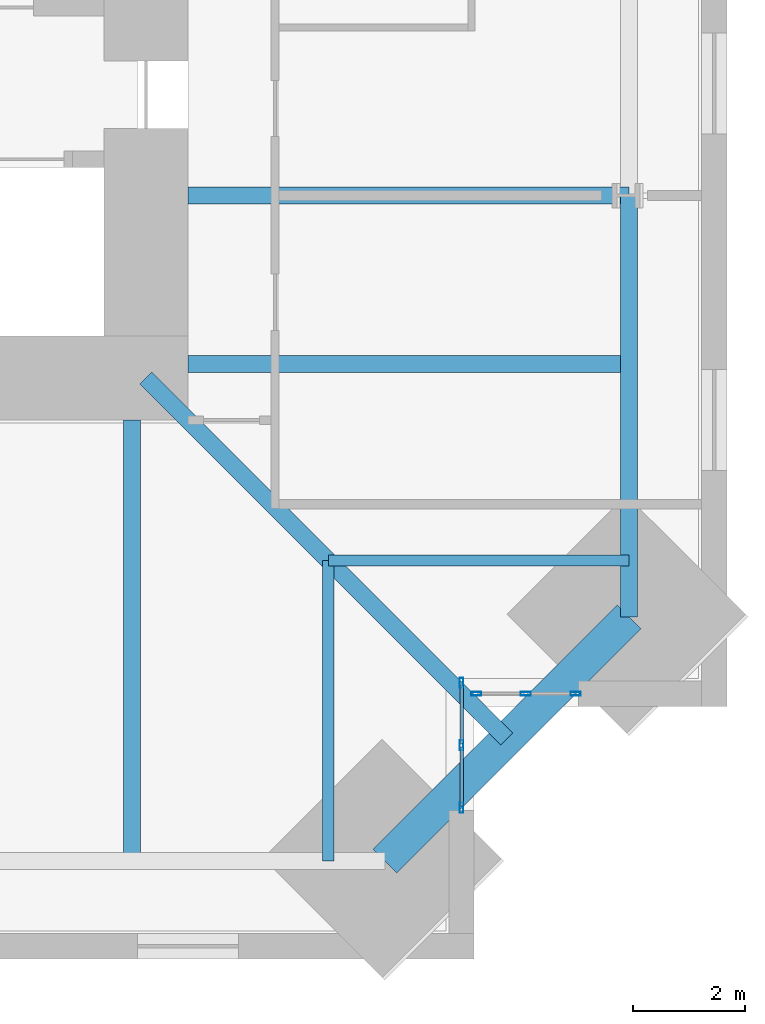
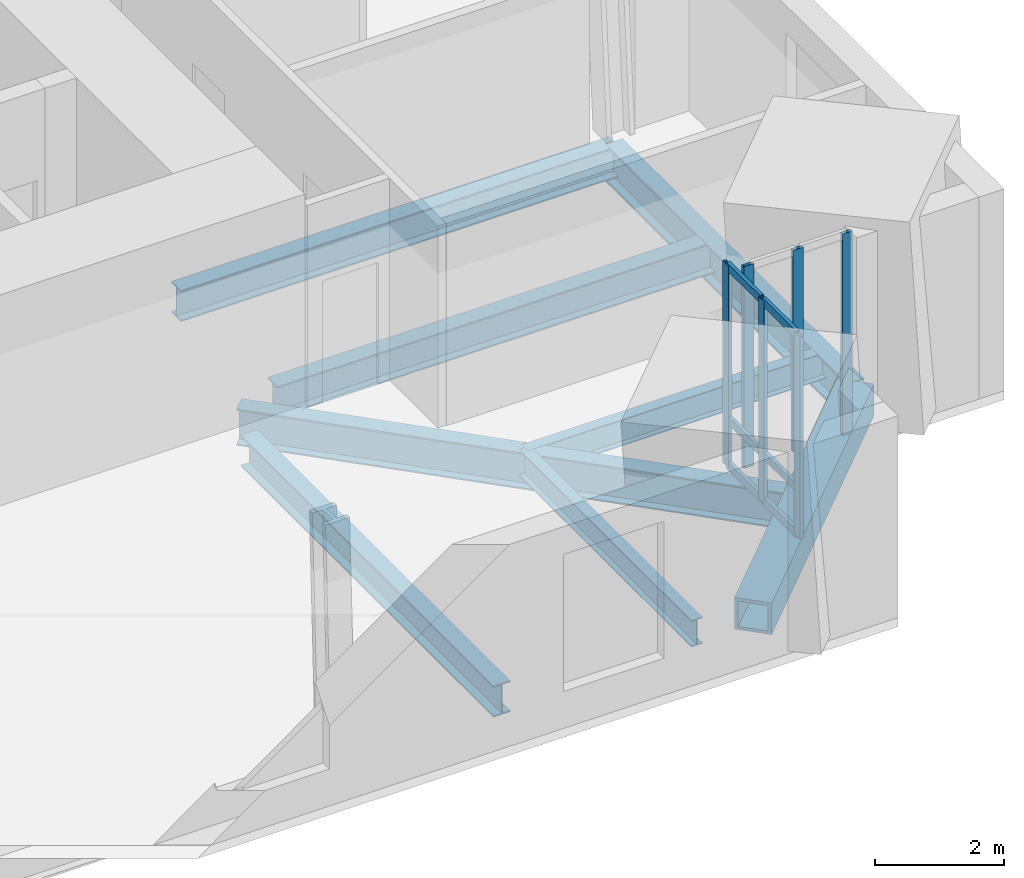
# One storey, part 4 of 16: 12 members, 8 beams, 2 elements without a shape of their own.
"""IFC4 building model written with IfcOpenShell, lengths in metres."""

from ifc_helpers import new_model, si_unit, direction, frame, origin, origin_2d, place, context, subcontext, project, spatial, hollow_rectangle, i_section, extrude, material, material_profile, profile_set, type_object, element, aggregate, save


model = new_model("IFC4")

# Units and contexts
model_context = context("Model", 3, precision=1e-05, world=origin(), true_north=direction((0.0, 1.0)))
body_context = subcontext(model_context, "Body", "Model", "MODEL_VIEW")
ifc_project = project(units=[si_unit("LENGTHUNIT", "METRE"), si_unit("AREAUNIT", "SQUARE_METRE"), si_unit("VOLUMEUNIT", "CUBIC_METRE"), si_unit("PLANEANGLEUNIT", "RADIAN"), si_unit("MASSUNIT", "GRAM", prefix="KILO")], contexts=[model_context])

# Site, building, storey
site_placement = place(None, origin())
site = spatial("IfcSite", under=ifc_project, at=site_placement, CompositionType="ELEMENT")
building_placement = place(site_placement, origin())
building = spatial("IfcBuilding", under=site, at=building_placement, Name="Peilmerk Tower", CompositionType="ELEMENT")
storey_placement = place(building_placement, frame((0.0, 0.0, 273.800048828125)))
storey = spatial("IfcBuildingStorey", under=building, at=storey_placement, Name="L61", CompositionType="ELEMENT", Elevation=273.800048828125)

# Beams
ifc_material_1 = material(Name="Steel S355", Category="steel")
ifc_material_profile_1 = material_profile(ifc_material_1, i_section(OverallWidth=0.300048828125, OverallDepth=0.68994140625, WebThickness=0.014404296875, FlangeThickness=0.027099609375, at=origin_2d()), Name="HEA 700")
ifc_profile_set_1 = profile_set([ifc_material_profile_1], Name="Steel S355")
beam_type_1 = type_object("IfcBeamType", Name="B16 HEA 700 floor beam", PredefinedType="BEAM", material=ifc_profile_set_1)
beam_1_placement = place(storey_placement, frame((11.25, -11.25, -0.51513671875), z_axis=(0.707106781187, -0.707106781187, 0.0), x_axis=(0.707106781187, 0.707106781187, 0.0)))
element("IfcBeam", 1, at=beam_1_placement, inside=storey, type_object=beam_type_1, Name="Corner girder L61", PredefinedType="BEAM", context=body_context, shape_type="SweptSolid", body=[
    extrude(i_section(OverallWidth=0.300048828125, OverallDepth=0.68994140625, WebThickness=0.014404296875, FlangeThickness=0.027099609375, at=origin_2d()), origin(), (0.0, 0.0, 1.0), 9.095458984375),
])
ifc_material_2 = material(Name="Steel S460", Category="steel")
ifc_material_profile_2 = material_profile(ifc_material_2, hollow_rectangle(XDim=0.60009765625, YDim=0.60009765625, WallThickness=0.06005859375, at=origin_2d()), Name="BOX 600x600x60")
ifc_profile_set_2 = profile_set([ifc_material_profile_2], Name="Steel S460")
beam_type_2 = type_object("IfcBeamType", Name="B20 BOX 600x600x60 notch beam", PredefinedType="SPANDREL", material=ifc_profile_set_2)
beam_2_placement = place(storey_placement, frame((19.8564453125, -15.50634765625, -0.469970703125), z_axis=(-0.707106781187, -0.707106781187, 0.0), x_axis=(0.707106781187, -0.707106781187, 0.0)))
element("IfcBeam", 2, at=beam_2_placement, inside=storey, type_object=beam_type_2, Name="Notch beam L61", PredefinedType="SPANDREL", context=body_context, shape_type="SweptSolid", body=[
    extrude(hollow_rectangle(XDim=0.60009765625, YDim=0.60009765625, WallThickness=0.06005859375, at=origin_2d()), origin(), (0.0, 0.0, 1.0), 6.15185546875),
])
ifc_material_profile_3 = material_profile(ifc_material_1, i_section(OverallWidth=0.300048828125, OverallDepth=0.590087890625, WebThickness=0.012939453125, FlangeThickness=0.02490234375, at=origin_2d()), Name="HEA 600")
ifc_profile_set_3 = profile_set([ifc_material_profile_3], Name="Steel S355")
beam_type_3 = type_object("IfcBeamType", Name="B27 HEA 600 floor beam", PredefinedType="BEAM", material=ifc_profile_set_3)
for number, where, z_axis, x_axis, name in (
    (3, (12.0, -11.0, -0.465087890625), (1.0, 0.0, 0.0), (0.0, 1.0, 0.0), "Floor beam L61"),
    (4, (12.0, -8.0, -0.465087890625), (1.0, 0.0, 0.0), (0.0, 1.0, 0.0), "Floor beam L61"),
    (5, (11.0, -12.0, -0.465087890625), (0.0, -1.0, 0.0), (1.0, 0.0, 0.0), "Floor beam L61"),
):
    element("IfcBeam", number, at=place(storey_placement, frame(where, z_axis=z_axis, x_axis=x_axis)), inside=storey, type_object=beam_type_3, Name=name, PredefinedType="BEAM", context=body_context, shape_type="SweptSolid", body=[
        extrude(i_section(OverallWidth=0.300048828125, OverallDepth=0.590087890625, WebThickness=0.012939453125, FlangeThickness=0.02490234375, at=origin_2d()), origin(), (0.0, 0.0, 1.0), 7.8564453125),
    ])
ifc_material_profile_4 = material_profile(ifc_material_1, i_section(OverallWidth=0.303955078125, OverallDepth=0.716064453125, WebThickness=0.02099609375, FlangeThickness=0.0400390625, at=origin_2d()), Name="HEM 700")
ifc_profile_set_4 = profile_set([ifc_material_profile_4], Name="Steel S355")
beam_type_4 = type_object("IfcBeamType", Name="B30 HEM 700 edge beam", PredefinedType="SPANDREL", material=ifc_profile_set_4)
beam_3_placement = place(storey_placement, frame((19.8564453125, -15.50634765625, -0.528076171875), z_axis=(0.0, 1.0, 0.0), x_axis=(-1.0, 0.0, 0.0)))
element("IfcBeam", 6, at=beam_3_placement, inside=storey, type_object=beam_type_4, Name="Edge beam L61", PredefinedType="SPANDREL", context=body_context, shape_type="SweptSolid", body=[
    extrude(i_section(OverallWidth=0.303955078125, OverallDepth=0.716064453125, WebThickness=0.02099609375, FlangeThickness=0.0400390625, at=origin_2d()), origin(), (0.0, 0.0, 1.0), 7.50634765625),
])
ifc_material_profile_5 = material_profile(ifc_material_1, i_section(OverallWidth=0.199951171875, OverallDepth=0.5, WebThickness=0.01025390625, FlangeThickness=0.01611328125, at=origin_2d()), Name="IPE 500")
ifc_profile_set_5 = profile_set([ifc_material_profile_5], Name="Steel S355")
beam_type_5 = type_object("IfcBeamType", Name="B32 IPE 500 floor beam", PredefinedType="BEAM", material=ifc_profile_set_5)
for number, where, z_axis, x_axis, name in (
    (7, (14.5, -14.5, -0.420166015625), (0.0, -1.0, 0.0), (1.0, 0.0, 0.0), "Floor beam L61"),
    (8, (14.5, -14.5, -0.420166015625), (1.0, 0.0, 0.0), (0.0, 1.0, 0.0), "Floor beam L61"),
):
    element("IfcBeam", number, at=place(storey_placement, frame(where, z_axis=z_axis, x_axis=x_axis)), inside=storey, type_object=beam_type_5, Name=name, PredefinedType="BEAM", context=body_context, shape_type="SweptSolid", body=[
        extrude(i_section(OverallWidth=0.199951171875, OverallDepth=0.5, WebThickness=0.01025390625, FlangeThickness=0.01611328125, at=origin_2d()), origin(), (0.0, 0.0, 1.0), 5.3564453125),
    ])

# Curtain wall, members
ifc_material_3 = material(Name="Aluminium stick curtain wall", Category="aluminium")
curtain_wall_type = type_object("IfcCurtainWallType", Name="CW4 stick curtain wall, 2250 module", PredefinedType="NOTDEFINED", material=ifc_material_3)
curtain_wall_1_placement = place(storey_placement, origin())
curtain_wall_1 = element("IfcCurtainWall", 9, at=curtain_wall_1_placement, inside=storey, type_object=curtain_wall_type, Name="Curtain wall CW4 SEA L61", PredefinedType="NOTDEFINED")
ifc_material_4 = material(Name="Aluminium EN AW-6063 T6", Category="aluminium")
ifc_material_profile_6 = material_profile(ifc_material_4, hollow_rectangle(XDim=0.06494140625, YDim=0.179931640625, WallThickness=0.0029296875, at=origin_2d()), Name="AL 180x65x3")
ifc_profile_set_6 = profile_set([ifc_material_profile_6], Name="Aluminium EN AW-6063 T6")
member_type_1 = type_object("IfcMemberType", Name="CW4-M AL 180x65x3 mullion", PredefinedType="MULLION", material=ifc_profile_set_6)
member_1_placement = place(storey_placement, frame((16.875, -16.6826171875, 0.0), z_axis=(0.0, 0.0, 1.0), x_axis=(1.0, 0.0, 0.0)))
member_1 = element("IfcMember", 10, at=member_1_placement, type_object=member_type_1, Name="CW4 mullion 1", PredefinedType="MULLION", context=body_context, shape_type="SweptSolid", body=[
    extrude(hollow_rectangle(XDim=0.06494140625, YDim=0.179931640625, WallThickness=0.0029296875, at=origin_2d()), origin(), (0.0, 0.0, 1.0), 3.829833984375),
])
member_2_placement = place(storey_placement, frame((16.875, -17.79443359375, 0.0), z_axis=(0.0, 0.0, 1.0), x_axis=(1.0, 0.0, 0.0)))
member_2 = element("IfcMember", 11, at=member_2_placement, type_object=member_type_1, Name="CW4 mullion 2", PredefinedType="MULLION", context=body_context, shape_type="SweptSolid", body=[
    extrude(hollow_rectangle(XDim=0.06494140625, YDim=0.179931640625, WallThickness=0.0029296875, at=origin_2d()), origin(), (0.0, 0.0, 1.0), 3.829833984375),
])
member_3_placement = place(storey_placement, frame((16.875, -18.90625, 0.0), z_axis=(0.0, 0.0, 1.0), x_axis=(1.0, 0.0, 0.0)))
member_3 = element("IfcMember", 12, at=member_3_placement, type_object=member_type_1, Name="CW4 mullion 3", PredefinedType="MULLION", context=body_context, shape_type="SweptSolid", body=[
    extrude(hollow_rectangle(XDim=0.06494140625, YDim=0.179931640625, WallThickness=0.0029296875, at=origin_2d()), origin(), (0.0, 0.0, 1.0), 3.829833984375),
])

curtain_wall_2_placement = place(storey_placement, origin())
curtain_wall_2 = element("IfcCurtainWall", 13, at=curtain_wall_2_placement, inside=storey, type_object=curtain_wall_type, Name="Curtain wall CW4 SEB L61", PredefinedType="NOTDEFINED")
member_4_placement = place(storey_placement, frame((17.132568359375, -16.875, 0.0), z_axis=(0.0, 0.0, 1.0), x_axis=(0.0, 1.0, 0.0)))
member_4 = element("IfcMember", 14, at=member_4_placement, type_object=member_type_1, Name="CW4 mullion 1", PredefinedType="MULLION", context=body_context, shape_type="SweptSolid", body=[
    extrude(hollow_rectangle(XDim=0.06494140625, YDim=0.179931640625, WallThickness=0.0029296875, at=origin_2d()), origin(), (0.0, 0.0, 1.0), 3.829833984375),
])
member_5_placement = place(storey_placement, frame((18.019287109375, -16.875, 0.0), z_axis=(0.0, 0.0, 1.0), x_axis=(0.0, 1.0, 0.0)))
member_5 = element("IfcMember", 15, at=member_5_placement, type_object=member_type_1, Name="CW4 mullion 2", PredefinedType="MULLION", context=body_context, shape_type="SweptSolid", body=[
    extrude(hollow_rectangle(XDim=0.06494140625, YDim=0.179931640625, WallThickness=0.0029296875, at=origin_2d()), origin(), (0.0, 0.0, 1.0), 3.829833984375),
])
member_6_placement = place(storey_placement, frame((18.90625, -16.875, 0.0), z_axis=(0.0, 0.0, 1.0), x_axis=(0.0, 1.0, 0.0)))
member_6 = element("IfcMember", 16, at=member_6_placement, type_object=member_type_1, Name="CW4 mullion 3", PredefinedType="MULLION", context=body_context, shape_type="SweptSolid", body=[
    extrude(hollow_rectangle(XDim=0.06494140625, YDim=0.179931640625, WallThickness=0.0029296875, at=origin_2d()), origin(), (0.0, 0.0, 1.0), 3.829833984375),
])
aggregate(curtain_wall_2, [member_4, member_5, member_6])

# Member
ifc_material_profile_7 = material_profile(ifc_material_4, hollow_rectangle(XDim=0.06494140625, YDim=0.14990234375, WallThickness=0.0029296875, at=origin_2d()), Name="AL 150x65x3")
ifc_profile_set_7 = profile_set([ifc_material_profile_7], Name="Aluminium EN AW-6063 T6")
member_type_2 = type_object("IfcMemberType", Name="CW4-T AL 150x65x3 transom", PredefinedType="USERDEFINED", material=ifc_profile_set_7)
member_7_placement = place(storey_placement, frame((16.875, -16.715087890625, 0.032470703125), z_axis=(0.0, -1.0, 0.0), x_axis=(1.0, 0.0, 0.0)))
member_7 = element("IfcMember", 17, at=member_7_placement, type_object=member_type_2, Name="CW4 transom 1.1", ObjectType="TRANSOM", PredefinedType="USERDEFINED", context=body_context, shape_type="SweptSolid", body=[
    extrude(hollow_rectangle(XDim=0.06494140625, YDim=0.14990234375, WallThickness=0.0029296875, at=origin_2d()), origin(), (0.0, 0.0, 1.0), 1.046630859375),
])

member_8_placement = place(storey_placement, frame((16.875, -16.715087890625, 0.89990234375), z_axis=(0.0, -1.0, 0.0), x_axis=(1.0, 0.0, 0.0)))
member_8 = element("IfcMember", 18, at=member_8_placement, type_object=member_type_2, Name="CW4 transom 1.2", ObjectType="TRANSOM", PredefinedType="USERDEFINED", context=body_context, shape_type="SweptSolid", body=[
    extrude(hollow_rectangle(XDim=0.06494140625, YDim=0.14990234375, WallThickness=0.0029296875, at=origin_2d()), origin(), (0.0, 0.0, 1.0), 1.046630859375),
])

member_9_placement = place(storey_placement, frame((16.875, -16.715087890625, 3.79736328125), z_axis=(0.0, -1.0, 0.0), x_axis=(1.0, 0.0, 0.0)))
member_9 = element("IfcMember", 19, at=member_9_placement, type_object=member_type_2, Name="CW4 transom 1.3", ObjectType="TRANSOM", PredefinedType="USERDEFINED", context=body_context, shape_type="SweptSolid", body=[
    extrude(hollow_rectangle(XDim=0.06494140625, YDim=0.14990234375, WallThickness=0.0029296875, at=origin_2d()), origin(), (0.0, 0.0, 1.0), 1.046630859375),
])

member_10_placement = place(storey_placement, frame((16.875, -17.826904296875, 0.032470703125), z_axis=(0.0, -1.0, 0.0), x_axis=(1.0, 0.0, 0.0)))
member_10 = element("IfcMember", 20, at=member_10_placement, type_object=member_type_2, Name="CW4 transom 2.1", ObjectType="TRANSOM", PredefinedType="USERDEFINED", context=body_context, shape_type="SweptSolid", body=[
    extrude(hollow_rectangle(XDim=0.06494140625, YDim=0.14990234375, WallThickness=0.0029296875, at=origin_2d()), origin(), (0.0, 0.0, 1.0), 1.046875),
])

member_11_placement = place(storey_placement, frame((16.875, -17.826904296875, 0.89990234375), z_axis=(0.0, -1.0, 0.0), x_axis=(1.0, 0.0, 0.0)))
member_11 = element("IfcMember", 21, at=member_11_placement, type_object=member_type_2, Name="CW4 transom 2.2", ObjectType="TRANSOM", PredefinedType="USERDEFINED", context=body_context, shape_type="SweptSolid", body=[
    extrude(hollow_rectangle(XDim=0.06494140625, YDim=0.14990234375, WallThickness=0.0029296875, at=origin_2d()), origin(), (0.0, 0.0, 1.0), 1.046875),
])

member_12_placement = place(storey_placement, frame((16.875, -17.826904296875, 3.79736328125), z_axis=(0.0, -1.0, 0.0), x_axis=(1.0, 0.0, 0.0)))
member_12 = element("IfcMember", 22, at=member_12_placement, type_object=member_type_2, Name="CW4 transom 2.3", ObjectType="TRANSOM", PredefinedType="USERDEFINED", context=body_context, shape_type="SweptSolid", body=[
    extrude(hollow_rectangle(XDim=0.06494140625, YDim=0.14990234375, WallThickness=0.0029296875, at=origin_2d()), origin(), (0.0, 0.0, 1.0), 1.046875),
])

aggregate(curtain_wall_1, [member_1, member_2, member_3, member_7, member_8, member_9, member_10, member_11, member_12])

save(model, "model.ifc")
